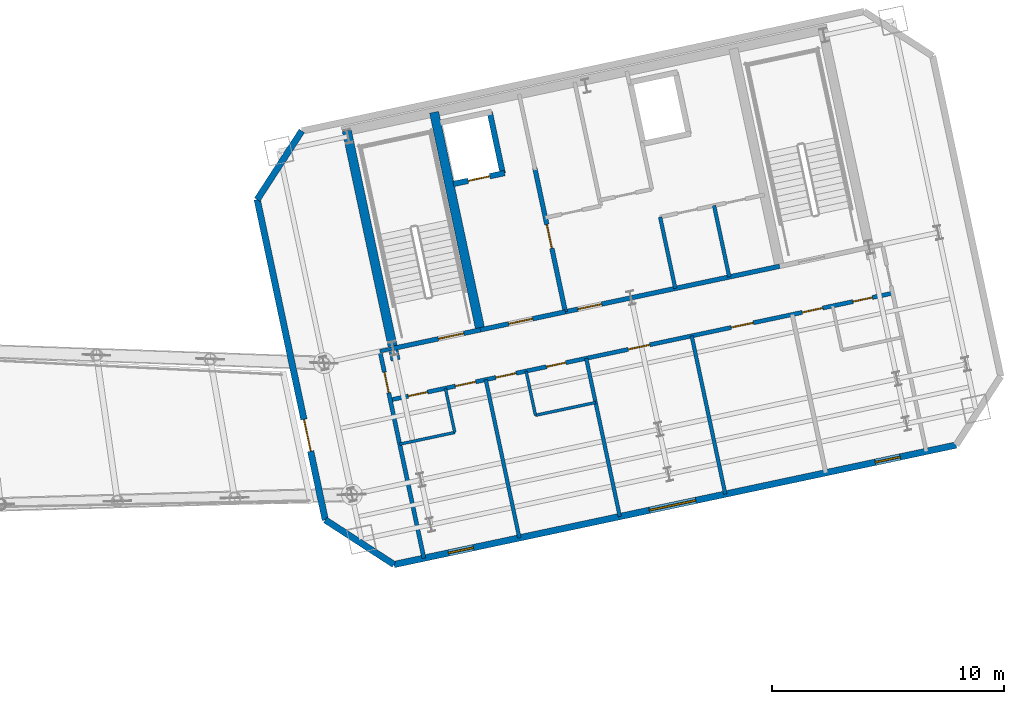
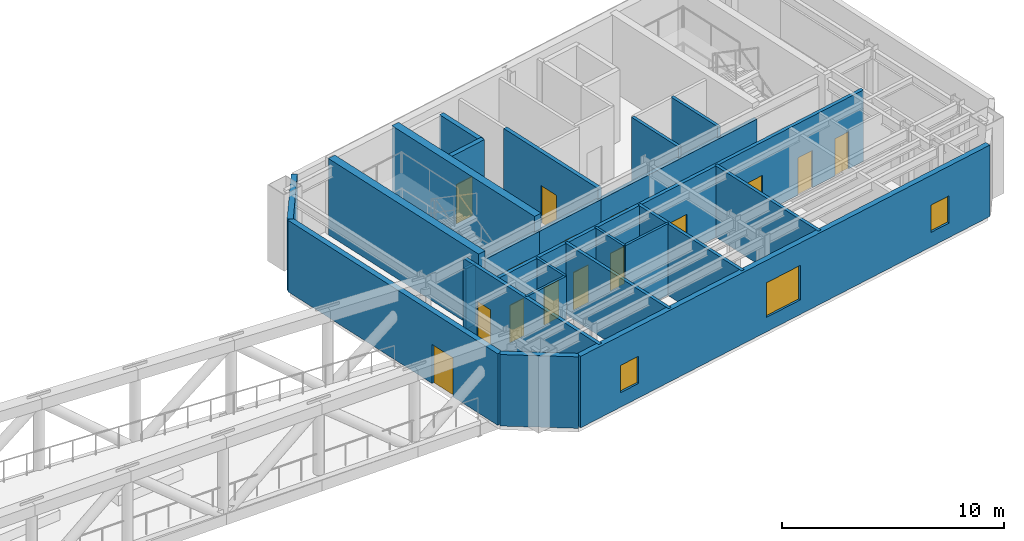
# One storey, part 9 of 14: 24 walls, 15 doors, 3 windows, 18 openings.
"""IFC4 building model written with IfcOpenShell, lengths in metres."""

from ifc_helpers import new_model, si_unit, direction, frame, frame_2d, origin, place, context, subcontext, project, spatial, rectangle, extrude, material, layer, layer_set, type_object, element, fill, save


model = new_model("IFC4")

# Units and contexts
model_context = context("Model", 3, precision=1e-05, world=origin(), true_north=direction((0.0, 1.0)))
body_context = subcontext(model_context, "Body", "Model", "MODEL_VIEW")
ifc_project = project(units=[si_unit("LENGTHUNIT", "METRE"), si_unit("AREAUNIT", "SQUARE_METRE"), si_unit("VOLUMEUNIT", "CUBIC_METRE"), si_unit("PLANEANGLEUNIT", "RADIAN"), si_unit("MASSUNIT", "GRAM", prefix="KILO")], contexts=[model_context])

# Site, building, storey
site_placement = place(None, origin())
site = spatial("IfcSite", under=ifc_project, at=site_placement, CompositionType="ELEMENT")
building_placement = place(site_placement, origin())
building = spatial("IfcBuilding", under=site, at=building_placement, Name="Haevon Station Towers", CompositionType="ELEMENT")
storey_placement = place(building_placement, frame((0.0, 0.0, 201.300048828125)))
storey = spatial("IfcBuildingStorey", under=building, at=storey_placement, Name="L55", CompositionType="ELEMENT", Elevation=201.300048828125)

# Wall, opening, door
ifc_material_1 = material(Name="Gypsum board on steel stud", Category="steel")
ifc_layer_1 = layer(ifc_material_1, 0.179931640625)
ifc_layer_set_1 = layer_set([ifc_layer_1], Name="Gypsum board on steel stud")
wall_type_1 = type_object("IfcWallType", Name="WL-ACU180", PredefinedType="PARTITIONING", material=ifc_layer_set_1)
wall_1_placement = place(storey_placement, frame((100.083251953125, 28.391357421875, 0.0), z_axis=(0.0, 0.0, 1.0), x_axis=(-0.207908966823, 0.978148179733, 0.0)))
wall_1 = element("IfcWall", 1, at=wall_1_placement, inside=storey, type_object=wall_type_1, Name="WL-T2PT-L55-03", PredefinedType="PARTITIONING", context=body_context, shape_type="SweptSolid", body=[
    extrude(rectangle(XDim=9.1298828125, YDim=0.179931640625, at=frame_2d((4.56494140625, 0.0))), origin(), (0.0, 0.0, 1.0), 3.929931640625),
])
opening_1_placement = place(wall_1_placement, frame((7.300048828125, 0.0, 0.0)))
opening_1 = element("IfcOpeningElement", 2, at=opening_1_placement, cuts=wall_1, Name="Opening DR-WL-T2PT-L55-03-01", PredefinedType="OPENING", context=body_context, shape_type="SweptSolid", body=[
    extrude(rectangle(XDim=0.89990234375, YDim=2.050048828125, at=frame_2d((0.449951171875, 1.02490234375))), frame((0.0, 0.099853515625, 0.0), z_axis=(0.0, -1.0, 0.0), x_axis=(1.0, 0.0, 0.0)), (0.0, 0.0, 1.0), 0.199951171875),
])
ifc_material_2 = material(Name="Engineered oak timber", Category="wood")
door_type_1 = type_object("IfcDoorType", Name="DR-INT-900", OperationType="NOTDEFINED", PredefinedType="DOOR", material=ifc_material_2)
door_1_placement = place(opening_1_placement, origin())
door_1 = element("IfcDoor", 3, at=door_1_placement, inside=storey, type_object=door_type_1, Name="L55 Tower 2 Room Door 3-1", OperationType="SINGLE_SWING_LEFT", OverallHeight=2.050048828125, OverallWidth=0.89990234375, PredefinedType="DOOR", context=body_context, shape_type="SweptSolid", body=[
    extrude(rectangle(XDim=0.89990234375, YDim=2.050048828125, at=frame_2d((0.449951171875, 1.02490234375))), frame((0.0, 0.02490234375, 0.0), z_axis=(0.0, -1.0, 0.0), x_axis=(1.0, 0.0, 0.0)), (0.0, 0.0, 1.0), 0.050048828125),
])
fill(opening_1, door_1)

# Wall, openings, doors
wall_2_placement = place(storey_placement, frame((98.632080078125, 35.21875, 0.0), z_axis=(0.0, 0.0, 1.0), x_axis=(0.978146753289, 0.207915677691, 0.0)))
wall_2 = element("IfcWall", 4, at=wall_2_placement, inside=storey, type_object=wall_type_1, Name="WL-T2PT-L55-15", PredefinedType="PARTITIONING", context=body_context, shape_type="SweptSolid", body=[
    extrude(rectangle(XDim=22.16015625, YDim=0.179931640625, at=frame_2d((11.080078125, 0.0))), origin(), (0.0, 0.0, 1.0), 3.929931640625),
])
opening_2_placement = place(wall_2_placement, frame((0.7900390625, 0.0, 0.0)))
opening_2 = element("IfcOpeningElement", 5, at=opening_2_placement, cuts=wall_2, Name="Opening DR-WL-T2PT-L55-15-01", PredefinedType="OPENING", context=body_context, shape_type="SweptSolid", body=[
    extrude(rectangle(XDim=0.85009765625, YDim=2.050048828125, at=frame_2d((0.425048828125, 1.02490234375))), frame((0.0, 0.099853515625, 0.0), z_axis=(0.0, -1.0, 0.0), x_axis=(1.0, 0.0, 0.0)), (0.0, 0.0, 1.0), 0.199951171875),
])
opening_3_placement = place(wall_2_placement, frame((2.8701171875, 0.0, 0.0)))
opening_3 = element("IfcOpeningElement", 6, at=opening_3_placement, cuts=wall_2, Name="Opening DR-WL-T2PT-L55-15-02", PredefinedType="OPENING", context=body_context, shape_type="SweptSolid", body=[
    extrude(rectangle(XDim=0.89990234375, YDim=2.050048828125, at=frame_2d((0.449951171875, 1.02490234375))), frame((0.0, 0.099853515625, 0.0), z_axis=(0.0, -1.0, 0.0), x_axis=(1.0, 0.0, 0.0)), (0.0, 0.0, 1.0), 0.199951171875),
])
opening_4_placement = place(wall_2_placement, frame((6.89111328125, 0.0, 0.0)))
opening_4 = element("IfcOpeningElement", 7, at=opening_4_placement, cuts=wall_2, Name="Opening DR-WL-T2PT-L55-15-03", PredefinedType="OPENING", context=body_context, shape_type="SweptSolid", body=[
    extrude(rectangle(XDim=0.85009765625, YDim=2.050048828125, at=frame_2d((0.425048828125, 1.02490234375))), frame((0.0, 0.099853515625, 0.0), z_axis=(0.0, -1.0, 0.0), x_axis=(1.0, 0.0, 0.0)), (0.0, 0.0, 1.0), 0.199951171875),
])
opening_5_placement = place(wall_2_placement, frame((4.64990234375, 0.0, 0.0)))
opening_5 = element("IfcOpeningElement", 8, at=opening_5_placement, cuts=wall_2, Name="Opening DR-WL-T2PT-L55-15-04", PredefinedType="OPENING", context=body_context, shape_type="SweptSolid", body=[
    extrude(rectangle(XDim=0.89990234375, YDim=2.050048828125, at=frame_2d((0.449951171875, 1.02490234375))), frame((0.0, 0.099853515625, 0.0), z_axis=(0.0, -1.0, 0.0), x_axis=(1.0, 0.0, 0.0)), (0.0, 0.0, 1.0), 0.199951171875),
])
opening_6_placement = place(wall_2_placement, frame((10.493896484375, 0.0, 0.0)))
opening_6 = element("IfcOpeningElement", 9, at=opening_6_placement, cuts=wall_2, Name="Opening DR-WL-T2PT-L55-15-05", PredefinedType="OPENING", context=body_context, shape_type="SweptSolid", body=[
    extrude(rectangle(XDim=0.949951171875, YDim=2.10009765625, at=frame_2d((0.47509765625, 1.050048828125))), frame((0.0, 0.099853515625, 0.0), z_axis=(0.0, -1.0, 0.0), x_axis=(1.0, 0.0, 0.0)), (0.0, 0.0, 1.0), 0.199951171875),
])
opening_7_placement = place(wall_2_placement, frame((15.037109375, 0.0, 0.0)))
opening_7 = element("IfcOpeningElement", 10, at=opening_7_placement, cuts=wall_2, Name="Opening DR-WL-T2PT-L55-15-06", PredefinedType="OPENING", context=body_context, shape_type="SweptSolid", body=[
    extrude(rectangle(XDim=0.97998046875, YDim=2.10009765625, at=frame_2d((0.489990234375, 1.050048828125))), frame((0.0, 0.099853515625, 0.0), z_axis=(0.0, -1.0, 0.0), x_axis=(1.0, 0.0, 0.0)), (0.0, 0.0, 1.0), 0.199951171875),
])
opening_8_placement = place(wall_2_placement, frame((20.408935546875, 0.0, 0.0)))
opening_8 = element("IfcOpeningElement", 11, at=opening_8_placement, cuts=wall_2, Name="Opening DR-WL-T2PT-L55-15-07", PredefinedType="OPENING", context=body_context, shape_type="SweptSolid", body=[
    extrude(rectangle(XDim=0.85009765625, YDim=2.050048828125, at=frame_2d((0.425048828125, 1.02490234375))), frame((0.0, 0.099853515625, 0.0), z_axis=(0.0, -1.0, 0.0), x_axis=(1.0, 0.0, 0.0)), (0.0, 0.0, 1.0), 0.199951171875),
])
opening_9_placement = place(wall_2_placement, frame((18.16796875, 0.0, 0.0)))
opening_9 = element("IfcOpeningElement", 12, at=opening_9_placement, cuts=wall_2, Name="Opening DR-WL-T2PT-L55-15-08", PredefinedType="OPENING", context=body_context, shape_type="SweptSolid", body=[
    extrude(rectangle(XDim=0.89990234375, YDim=2.050048828125, at=frame_2d((0.449951171875, 1.02490234375))), frame((0.0, 0.099853515625, 0.0), z_axis=(0.0, -1.0, 0.0), x_axis=(1.0, 0.0, 0.0)), (0.0, 0.0, 1.0), 0.199951171875),
])
door_type_2 = type_object("IfcDoorType", Name="DR-FD30-850", OperationType="NOTDEFINED", PredefinedType="DOOR", material=ifc_material_2)
door_2_placement = place(opening_2_placement, origin())
door_2 = element("IfcDoor", 13, at=door_2_placement, inside=storey, type_object=door_type_2, Name="L55 Tower 2 Room Door 15-1", OperationType="SINGLE_SWING_LEFT", OverallHeight=2.050048828125, OverallWidth=0.85009765625, PredefinedType="DOOR", context=body_context, shape_type="SweptSolid", body=[
    extrude(rectangle(XDim=0.85009765625, YDim=2.050048828125, at=frame_2d((0.425048828125, 1.02490234375))), frame((0.0, 0.02490234375, 0.0), z_axis=(0.0, -1.0, 0.0), x_axis=(1.0, 0.0, 0.0)), (0.0, 0.0, 1.0), 0.050048828125),
])
fill(opening_2, door_2)
door_3_placement = place(opening_4_placement, origin())
door_3 = element("IfcDoor", 14, at=door_3_placement, inside=storey, type_object=door_type_2, Name="L55 Tower 2 Room Door 15-3", OperationType="SINGLE_SWING_LEFT", OverallHeight=2.050048828125, OverallWidth=0.85009765625, PredefinedType="DOOR", context=body_context, shape_type="SweptSolid", body=[
    extrude(rectangle(XDim=0.85009765625, YDim=2.050048828125, at=frame_2d((0.425048828125, 1.02490234375))), frame((0.0, 0.02490234375, 0.0), z_axis=(0.0, -1.0, 0.0), x_axis=(1.0, 0.0, 0.0)), (0.0, 0.0, 1.0), 0.050048828125),
])
fill(opening_4, door_3)
door_4_placement = place(opening_8_placement, origin())
door_4 = element("IfcDoor", 15, at=door_4_placement, inside=storey, type_object=door_type_2, Name="L55 Tower 2 Room Door 15-7", OperationType="SINGLE_SWING_LEFT", OverallHeight=2.050048828125, OverallWidth=0.85009765625, PredefinedType="DOOR", context=body_context, shape_type="SweptSolid", body=[
    extrude(rectangle(XDim=0.85009765625, YDim=2.050048828125, at=frame_2d((0.425048828125, 1.02490234375))), frame((0.0, 0.02490234375, 0.0), z_axis=(0.0, -1.0, 0.0), x_axis=(1.0, 0.0, 0.0)), (0.0, 0.0, 1.0), 0.050048828125),
])
fill(opening_8, door_4)
door_type_3 = type_object("IfcDoorType", Name="DR-FD30-950", OperationType="NOTDEFINED", PredefinedType="DOOR", material=ifc_material_2)
door_5_placement = place(opening_6_placement, origin())
door_5 = element("IfcDoor", 16, at=door_5_placement, inside=storey, type_object=door_type_3, Name="L55 Tower 2 Room Door 15-5", OperationType="SINGLE_SWING_LEFT", OverallHeight=2.10009765625, OverallWidth=0.949951171875, PredefinedType="DOOR", context=body_context, shape_type="SweptSolid", body=[
    extrude(rectangle(XDim=0.949951171875, YDim=2.10009765625, at=frame_2d((0.47509765625, 1.050048828125))), frame((0.0, 0.02490234375, 0.0), z_axis=(0.0, -1.0, 0.0), x_axis=(1.0, 0.0, 0.0)), (0.0, 0.0, 1.0), 0.050048828125),
])
fill(opening_6, door_5)
door_type_4 = type_object("IfcDoorType", Name="DR-FD30-980", OperationType="NOTDEFINED", PredefinedType="DOOR", material=ifc_material_2)
door_6_placement = place(opening_7_placement, origin())
door_6 = element("IfcDoor", 17, at=door_6_placement, inside=storey, type_object=door_type_4, Name="L55 Tower 2 Room Door 15-6", OperationType="SINGLE_SWING_RIGHT", OverallHeight=2.10009765625, OverallWidth=0.97998046875, PredefinedType="DOOR", context=body_context, shape_type="SweptSolid", body=[
    extrude(rectangle(XDim=0.97998046875, YDim=2.10009765625, at=frame_2d((0.489990234375, 1.050048828125))), frame((0.0, 0.02490234375, 0.0), z_axis=(0.0, -1.0, 0.0), x_axis=(1.0, 0.0, 0.0)), (0.0, 0.0, 1.0), 0.050048828125),
])
fill(opening_7, door_6)
door_7_placement = place(opening_3_placement, origin())
door_7 = element("IfcDoor", 18, at=door_7_placement, inside=storey, type_object=door_type_1, Name="L55 Tower 2 Room Door 15-2", OperationType="SINGLE_SWING_RIGHT", OverallHeight=2.050048828125, OverallWidth=0.89990234375, PredefinedType="DOOR", context=body_context, shape_type="SweptSolid", body=[
    extrude(rectangle(XDim=0.89990234375, YDim=2.050048828125, at=frame_2d((0.449951171875, 1.02490234375))), frame((0.0, 0.02490234375, 0.0), z_axis=(0.0, -1.0, 0.0), x_axis=(1.0, 0.0, 0.0)), (0.0, 0.0, 1.0), 0.050048828125),
])
fill(opening_3, door_7)
door_8_placement = place(opening_5_placement, origin())
door_8 = element("IfcDoor", 19, at=door_8_placement, inside=storey, type_object=door_type_1, Name="L55 Tower 2 Room Door 15-4", OperationType="SINGLE_SWING_RIGHT", OverallHeight=2.050048828125, OverallWidth=0.89990234375, PredefinedType="DOOR", context=body_context, shape_type="SweptSolid", body=[
    extrude(rectangle(XDim=0.89990234375, YDim=2.050048828125, at=frame_2d((0.449951171875, 1.02490234375))), frame((0.0, 0.02490234375, 0.0), z_axis=(0.0, -1.0, 0.0), x_axis=(1.0, 0.0, 0.0)), (0.0, 0.0, 1.0), 0.050048828125),
])
fill(opening_5, door_8)
door_9_placement = place(opening_9_placement, origin())
door_9 = element("IfcDoor", 20, at=door_9_placement, inside=storey, type_object=door_type_1, Name="L55 Tower 2 Room Door 15-8", OperationType="SINGLE_SWING_RIGHT", OverallHeight=2.050048828125, OverallWidth=0.89990234375, PredefinedType="DOOR", context=body_context, shape_type="SweptSolid", body=[
    extrude(rectangle(XDim=0.89990234375, YDim=2.050048828125, at=frame_2d((0.449951171875, 1.02490234375))), frame((0.0, 0.02490234375, 0.0), z_axis=(0.0, -1.0, 0.0), x_axis=(1.0, 0.0, 0.0)), (0.0, 0.0, 1.0), 0.050048828125),
])
fill(opening_9, door_9)

# Wall, opening, door
ifc_layer_2 = layer(ifc_material_1, 0.199951171875)
ifc_layer_set_2 = layer_set([ifc_layer_2], Name="Gypsum board on steel stud")
wall_type_2 = type_object("IfcWallType", Name="WL-COR200", PredefinedType="PARTITIONING", material=ifc_layer_set_2)
wall_3_placement = place(storey_placement, frame((98.75244140625, 37.4423828125, 0.0), z_axis=(0.0, 0.0, 1.0), x_axis=(0.978143537786, 0.207930804564, 0.0)))
wall_3 = element("IfcWall", 21, at=wall_3_placement, inside=storey, type_object=wall_type_2, Name="WL-ST-ST3-L55", PredefinedType="PARTITIONING", context=body_context, shape_type="SweptSolid", body=[
    extrude(rectangle(XDim=3.85009765625, YDim=0.199951171875, at=frame_2d((1.925048828125, 0.0))), origin(), (0.0, 0.0, 1.0), 3.329833984375),
])
opening_10_placement = place(wall_3_placement, frame((2.0, 0.0, 0.0)))
opening_10 = element("IfcOpeningElement", 22, at=opening_10_placement, cuts=wall_3, Name="Opening DR-ST-ST3-L55", PredefinedType="OPENING", context=body_context, shape_type="SweptSolid", body=[
    extrude(rectangle(XDim=1.1201171875, YDim=2.10009765625, at=frame_2d((0.56005859375, 1.050048828125))), frame((0.0, 0.10986328125, 0.0), z_axis=(0.0, -1.0, 0.0), x_axis=(1.0, 0.0, 0.0)), (0.0, 0.0, 1.0), 0.219970703125),
])
door_type_5 = type_object("IfcDoorType", Name="DR-ST-1120", OperationType="NOTDEFINED", PredefinedType="DOOR", material=ifc_material_2)
door_10_placement = place(opening_10_placement, origin())
door_10 = element("IfcDoor", 23, at=door_10_placement, inside=storey, type_object=door_type_5, Name="L55 Escape Stair ST3 Fire Door", OperationType="SINGLE_SWING_LEFT", OverallHeight=2.10009765625, OverallWidth=1.1201171875, PredefinedType="DOOR", context=body_context, shape_type="SweptSolid", body=[
    extrude(rectangle(XDim=1.1201171875, YDim=2.10009765625, at=frame_2d((0.56005859375, 1.050048828125))), frame((0.0, 0.02490234375, 0.0), z_axis=(0.0, -1.0, 0.0), x_axis=(1.0, 0.0, 0.0)), (0.0, 0.0, 1.0), 0.050048828125),
])
fill(opening_10, door_10)

wall_4_placement = place(storey_placement, frame((106.186279296875, 39.0224609375, 0.0), z_axis=(0.0, 0.0, 1.0), x_axis=(-0.207916691923, 0.978146537703, 0.0)))
wall_4 = element("IfcWall", 24, at=wall_4_placement, inside=storey, type_object=wall_type_2, Name="WL-T2FFL-L55-E", PredefinedType="PARTITIONING", context=body_context, shape_type="SweptSolid", body=[
    extrude(rectangle(XDim=6.35009765625, YDim=0.199951171875, at=frame_2d((3.175048828125, 0.0))), origin(), (0.0, 0.0, 1.0), 3.929931640625),
])
opening_11_placement = place(wall_4_placement, frame((2.800048828125, 0.0, 0.0)))
opening_11 = element("IfcOpeningElement", 25, at=opening_11_placement, cuts=wall_4, Name="Opening DR-T2FFL-L55-E", PredefinedType="OPENING", context=body_context, shape_type="SweptSolid", body=[
    extrude(rectangle(XDim=1.050048828125, YDim=2.10009765625, at=frame_2d((0.52490234375, 1.050048828125))), frame((0.0, 0.10986328125, 0.0), z_axis=(0.0, -1.0, 0.0), x_axis=(1.0, 0.0, 0.0)), (0.0, 0.0, 1.0), 0.219970703125),
])
door_type_6 = type_object("IfcDoorType", Name="DR-FD60-1050", OperationType="NOTDEFINED", PredefinedType="DOOR", material=ifc_material_2)
door_11_placement = place(opening_11_placement, origin())
door_11 = element("IfcDoor", 26, at=door_11_placement, inside=storey, type_object=door_type_6, Name="L55 Tower 2 Firefighting Lift Lobby Door E", OperationType="SINGLE_SWING_LEFT", OverallHeight=2.10009765625, OverallWidth=1.050048828125, PredefinedType="DOOR", context=body_context, shape_type="SweptSolid", body=[
    extrude(rectangle(XDim=1.050048828125, YDim=2.10009765625, at=frame_2d((0.52490234375, 1.050048828125))), frame((0.0, 0.02490234375, 0.0), z_axis=(0.0, -1.0, 0.0), x_axis=(1.0, 0.0, 0.0)), (0.0, 0.0, 1.0), 0.050048828125),
])
fill(opening_11, door_11)

wall_5_placement = place(storey_placement, frame((102.518310546875, 38.242919921875, 0.0), z_axis=(0.0, 0.0, 1.0), x_axis=(0.978153555683, 0.20788367301, 0.0)))
wall_5 = element("IfcWall", 27, at=wall_5_placement, inside=storey, type_object=wall_type_2, Name="WL-T2FFL-L55-S", PredefinedType="PARTITIONING", context=body_context, shape_type="SweptSolid", body=[
    extrude(rectangle(XDim=3.75, YDim=0.199951171875, at=frame_2d((1.875, 0.0))), origin(), (0.0, 0.0, 1.0), 3.329833984375),
])
opening_12_placement = place(wall_5_placement, frame((1.25, 0.0, 0.0)))
opening_12 = element("IfcOpeningElement", 28, at=opening_12_placement, cuts=wall_5, Name="Opening DR-T2FFL-L55-S", PredefinedType="OPENING", context=body_context, shape_type="SweptSolid", body=[
    extrude(rectangle(XDim=1.050048828125, YDim=2.10009765625, at=frame_2d((0.52490234375, 1.050048828125))), frame((0.0, 0.10986328125, 0.0), z_axis=(0.0, -1.0, 0.0), x_axis=(1.0, 0.0, 0.0)), (0.0, 0.0, 1.0), 0.219970703125),
])
door_12_placement = place(opening_12_placement, origin())
door_12 = element("IfcDoor", 29, at=door_12_placement, inside=storey, type_object=door_type_6, Name="L55 Tower 2 Firefighting Lift Lobby Door S", OperationType="SINGLE_SWING_RIGHT", OverallHeight=2.10009765625, OverallWidth=1.050048828125, PredefinedType="DOOR", context=body_context, shape_type="SweptSolid", body=[
    extrude(rectangle(XDim=1.050048828125, YDim=2.10009765625, at=frame_2d((0.52490234375, 1.050048828125))), frame((0.0, 0.02490234375, 0.0), z_axis=(0.0, -1.0, 0.0), x_axis=(1.0, 0.0, 0.0)), (0.0, 0.0, 1.0), 0.050048828125),
])
fill(opening_12, door_12)

wall_6_placement = place(storey_placement, frame((106.186279296875, 39.0224609375, 0.0), z_axis=(0.0, 0.0, 1.0), x_axis=(0.978145519981, 0.20792147975, 0.0)))
wall_6 = element("IfcWall", 30, at=wall_6_placement, inside=storey, type_object=wall_type_2, Name="WL-T2CLB-L55", PredefinedType="PARTITIONING", context=body_context, shape_type="SweptSolid", body=[
    extrude(rectangle(XDim=9.449951171875, YDim=0.199951171875, at=frame_2d((4.72509765625, 0.0))), origin(), (0.0, 0.0, 1.0), 3.329833984375),
])
opening_13_placement = place(wall_6_placement, frame((0.550048828125, 0.0, 0.0)))
opening_13 = element("IfcOpeningElement", 31, at=opening_13_placement, cuts=wall_6, Name="Opening DR-T2CLB-L55-1", PredefinedType="OPENING", context=body_context, shape_type="SweptSolid", body=[
    extrude(rectangle(XDim=1.050048828125, YDim=2.10009765625, at=frame_2d((0.52490234375, 1.050048828125))), frame((0.0, 0.10986328125, 0.0), z_axis=(0.0, -1.0, 0.0), x_axis=(1.0, 0.0, 0.0)), (0.0, 0.0, 1.0), 0.219970703125),
])
door_13_placement = place(opening_13_placement, origin())
door_13 = element("IfcDoor", 32, at=door_13_placement, inside=storey, type_object=door_type_6, Name="L55 Tower 2 Core Lift Lobby Door 1", OperationType="SINGLE_SWING_LEFT", OverallHeight=2.10009765625, OverallWidth=1.050048828125, PredefinedType="DOOR", context=body_context, shape_type="SweptSolid", body=[
    extrude(rectangle(XDim=1.050048828125, YDim=2.10009765625, at=frame_2d((0.52490234375, 1.050048828125))), frame((0.0, 0.02490234375, 0.0), z_axis=(0.0, -1.0, 0.0), x_axis=(1.0, 0.0, 0.0)), (0.0, 0.0, 1.0), 0.050048828125),
])
fill(opening_13, door_13)

# Walls
ifc_material_3 = material(Name="Concrete C60/75", Category="concrete")
ifc_layer_3 = layer(ifc_material_3, 0.39990234375)
ifc_layer_set_3 = layer_set([ifc_layer_3], Name="Concrete C60/75")
wall_type_3 = type_object("IfcWallType", Name="WL-CR400", PredefinedType="SHEAR", material=ifc_layer_set_3)
wall_7_placement = place(storey_placement, frame((98.8603515625, 36.933837890625, 0.0), z_axis=(0.0, 0.0, 1.0), x_axis=(-0.20790924889, 0.978148119778, 0.0)))
element("IfcWall", 33, at=wall_7_placement, inside=storey, type_object=wall_type_3, Name="WL-T2CR-L55-W", PredefinedType="SHEAR", context=body_context, shape_type="SweptSolid", body=[
    extrude(rectangle(XDim=10.119873046875, YDim=0.39990234375, at=frame_2d((5.06005859375, 0.0))), origin(), (0.0, 0.0, 1.0), 4.199951171875),
])
wall_8_placement = place(storey_placement, frame((102.518310546875, 38.242919921875, 0.0), z_axis=(0.0, 0.0, 1.0), x_axis=(-0.207927495108, 0.978144241295, 0.0)))
element("IfcWall", 34, at=wall_8_placement, inside=storey, type_object=wall_type_3, Name="WL-T2CR-L55-M1", PredefinedType="SHEAR", context=body_context, shape_type="SweptSolid", body=[
    extrude(rectangle(XDim=9.599853515625, YDim=0.39990234375, at=frame_2d((4.7998046875, 0.0))), origin(), (0.0, 0.0, 1.0), 4.199951171875),
])

# Wall, openings, windows
ifc_material_4 = material(Name="Precast concrete C45/55", Category="concrete")
ifc_layer_4 = layer(ifc_material_4, 0.280029296875)
ifc_layer_set_4 = layer_set([ifc_layer_4], Name="Precast concrete C45/55")
wall_type_4 = type_object("IfcWallType", Name="WL-EXT-PIER280", PredefinedType="SOLIDWALL", material=ifc_layer_set_4)
wall_9_placement = place(storey_placement, frame((123.050048828125, 33.273193359375, 0.0), z_axis=(0.0, 0.0, 1.0), x_axis=(-0.97814726544, -0.207913268245, 0.0)))
wall_9 = element("IfcWall", 35, at=wall_9_placement, inside=storey, type_object=wall_type_4, Name="WL-T2-L55-S", PredefinedType="SOLIDWALL", context=body_context, shape_type="SweptSolid", body=[
    extrude(rectangle(XDim=24.800048828125, YDim=0.280029296875, at=frame_2d((12.39990234375, 0.0))), origin(), (0.0, 0.0, 1.0), 3.929931640625),
])
opening_14_placement = place(wall_9_placement, frame((21.294921875, 0.0, 0.800048828125)))
opening_14 = element("IfcOpeningElement", 36, at=opening_14_placement, cuts=wall_9, Name="Opening WN-COR110", PredefinedType="OPENING", context=body_context, shape_type="SweptSolid", body=[
    extrude(rectangle(XDim=1.10009765625, YDim=1.5, at=frame_2d((0.550048828125, 0.75))), frame((0.0, 0.14990234375, 0.0), z_axis=(0.0, -1.0, 0.0), x_axis=(1.0, 0.0, 0.0)), (0.0, 0.0, 1.0), 0.300048828125),
])
opening_15_placement = place(wall_9_placement, frame((11.48583984375, 0.0, 0.800048828125)))
opening_15 = element("IfcOpeningElement", 37, at=opening_15_placement, cuts=wall_9, Name="Opening WN-P205", PredefinedType="OPENING", context=body_context, shape_type="SweptSolid", body=[
    extrude(rectangle(XDim=2.050048828125, YDim=1.89990234375, at=frame_2d((1.02490234375, 0.949951171875))), frame((0.0, 0.14990234375, 0.0), z_axis=(0.0, -1.0, 0.0), x_axis=(1.0, 0.0, 0.0)), (0.0, 0.0, 1.0), 0.300048828125),
])
opening_16_placement = place(wall_9_placement, frame((2.4716796875, 0.0, 0.800048828125)))
opening_16 = element("IfcOpeningElement", 38, at=opening_16_placement, cuts=wall_9, Name="Opening WN-COR110", PredefinedType="OPENING", context=body_context, shape_type="SweptSolid", body=[
    extrude(rectangle(XDim=1.10009765625, YDim=1.5, at=frame_2d((0.550048828125, 0.75))), frame((0.0, 0.14990234375, 0.0), z_axis=(0.0, -1.0, 0.0), x_axis=(1.0, 0.0, 0.0)), (0.0, 0.0, 1.0), 0.300048828125),
])
ifc_material_5 = material(Name="Low-E triple glazing in thermally broken aluminium", Category="aluminium")
window_type_1 = type_object("IfcWindowType", Name="WN-COR110", PartitioningType="SINGLE_PANEL", PredefinedType="WINDOW", material=ifc_material_5)
window_1_placement = place(opening_14_placement, origin())
window_1 = element("IfcWindow", 39, at=window_1_placement, inside=storey, type_object=window_type_1, Name="WN-T2-L55-S01", OverallHeight=1.5, OverallWidth=1.10009765625, PartitioningType="SINGLE_PANEL", PredefinedType="WINDOW", context=body_context, shape_type="SweptSolid", body=[
    extrude(rectangle(XDim=1.10009765625, YDim=1.5, at=frame_2d((0.550048828125, 0.75))), frame((0.0, 0.030029296875, 0.0), z_axis=(0.0, -1.0, 0.0), x_axis=(1.0, 0.0, 0.0)), (0.0, 0.0, 1.0), 0.06005859375),
])
fill(opening_14, window_1)
window_2_placement = place(opening_16_placement, origin())
window_2 = element("IfcWindow", 40, at=window_2_placement, inside=storey, type_object=window_type_1, Name="WN-T2-L55-S03", OverallHeight=1.5, OverallWidth=1.10009765625, PartitioningType="SINGLE_PANEL", PredefinedType="WINDOW", context=body_context, shape_type="SweptSolid", body=[
    extrude(rectangle(XDim=1.10009765625, YDim=1.5, at=frame_2d((0.550048828125, 0.75))), frame((0.0, 0.030029296875, 0.0), z_axis=(0.0, -1.0, 0.0), x_axis=(1.0, 0.0, 0.0)), (0.0, 0.0, 1.0), 0.06005859375),
])
fill(opening_16, window_2)
window_type_2 = type_object("IfcWindowType", Name="WN-P205", PartitioningType="SINGLE_PANEL", PredefinedType="WINDOW", material=ifc_material_5)
window_3_placement = place(opening_15_placement, origin())
window_3 = element("IfcWindow", 41, at=window_3_placement, inside=storey, type_object=window_type_2, Name="WN-T2-L55-S02", OverallHeight=1.89990234375, OverallWidth=2.050048828125, PartitioningType="SINGLE_PANEL", PredefinedType="WINDOW", context=body_context, shape_type="SweptSolid", body=[
    extrude(rectangle(XDim=2.050048828125, YDim=1.89990234375, at=frame_2d((1.02490234375, 0.949951171875))), frame((0.0, 0.030029296875, 0.0), z_axis=(0.0, -1.0, 0.0), x_axis=(1.0, 0.0, 0.0)), (0.0, 0.0, 1.0), 0.06005859375),
])
fill(opening_15, window_3)

# Wall
wall_10_placement = place(storey_placement, frame((98.7919921875, 28.116943359375, 0.0), z_axis=(0.0, 0.0, 1.0), x_axis=(-0.838672309694, 0.544636352948, 0.0)))
element("IfcWall", 42, at=wall_10_placement, inside=storey, type_object=wall_type_4, Name="WL-T2-L55-SWC", PredefinedType="SOLIDWALL", context=body_context, shape_type="SweptSolid", body=[
    extrude(rectangle(XDim=3.535400390625, YDim=0.280029296875, at=frame_2d((1.767578125, 0.0))), origin(), (0.0, 0.0, 1.0), 3.929931640625),
])

# Wall, opening, door
wall_11_placement = place(storey_placement, frame((95.826904296875, 30.04248046875, 0.0), z_axis=(0.0, 0.0, 1.0), x_axis=(-0.207907523802, 0.978148486451, 0.0)))
wall_11 = element("IfcWall", 43, at=wall_11_placement, inside=storey, type_object=wall_type_4, Name="WL-T2-L55-W", PredefinedType="SOLIDWALL", context=body_context, shape_type="SweptSolid", body=[
    extrude(rectangle(XDim=14.130126953125, YDim=0.280029296875, at=frame_2d((7.06494140625, 0.0))), origin(), (0.0, 0.0, 1.0), 3.929931640625),
])
opening_17_placement = place(wall_11_placement, frame((3.030029296875, 0.0, 0.0)))
opening_17 = element("IfcOpeningElement", 44, at=opening_17_placement, cuts=wall_11, Name="Opening DR-SKP-T2-L55", PredefinedType="OPENING", context=body_context, shape_type="SweptSolid", body=[
    extrude(rectangle(XDim=1.39990234375, YDim=2.14990234375, at=frame_2d((0.699951171875, 1.074951171875))), frame((0.0, 0.14990234375, 0.0), z_axis=(0.0, -1.0, 0.0), x_axis=(1.0, 0.0, 0.0)), (0.0, 0.0, 1.0), 0.300048828125),
])
ifc_material_6 = material(Name="Thermally broken anodised aluminium and laminated safety glass", Category="aluminium")
door_type_7 = type_object("IfcDoorType", Name="DR-SKP-1400", OperationType="NOTDEFINED", PredefinedType="DOOR", material=ifc_material_6)
door_14_placement = place(opening_17_placement, origin())
door_14 = element("IfcDoor", 45, at=door_14_placement, inside=storey, type_object=door_type_7, Name="Sky-Park Bridge Level L55 Tower 2 Fire Link Door", OperationType="SINGLE_SWING_RIGHT", OverallHeight=2.14990234375, OverallWidth=1.39990234375, PredefinedType="DOOR", context=body_context, shape_type="SweptSolid", body=[
    extrude(rectangle(XDim=1.39990234375, YDim=2.14990234375, at=frame_2d((0.699951171875, 1.074951171875))), frame((0.0, 0.02490234375, 0.0), z_axis=(0.0, -1.0, 0.0), x_axis=(1.0, 0.0, 0.0)), (0.0, 0.0, 1.0), 0.050048828125),
])
fill(opening_17, door_14)

# Walls
wall_12_placement = place(storey_placement, frame((92.88916015625, 43.86376953125, 0.0), z_axis=(0.0, 0.0, 1.0), x_axis=(0.544636352948, 0.838672309694, 0.0)))
element("IfcWall", 46, at=wall_12_placement, inside=storey, type_object=wall_type_4, Name="WL-T2-L55-NWC", PredefinedType="SOLIDWALL", context=body_context, shape_type="SweptSolid", body=[
    extrude(rectangle(XDim=3.535400390625, YDim=0.280029296875, at=frame_2d((1.767578125, 0.0))), origin(), (0.0, 0.0, 1.0), 3.929931640625),
])
ifc_layer_5 = layer(ifc_material_1, 0.125)
ifc_layer_set_5 = layer_set([ifc_layer_5], Name="Gypsum board on steel stud")
wall_type_5 = type_object("IfcWallType", Name="WL-PRT125", PredefinedType="PARTITIONING", material=ifc_layer_set_5)
wall_13_placement = place(storey_placement, frame((99.037353515625, 33.3115234375, 0.0), z_axis=(0.0, 0.0, 1.0), x_axis=(0.978165487905, 0.207827520484, 0.0)))
element("IfcWall", 47, at=wall_13_placement, inside=storey, type_object=wall_type_5, Name="WL-T2PT-L55-05", PredefinedType="PARTITIONING", context=body_context, shape_type="SweptSolid", body=[
    extrude(rectangle(XDim=2.430419921875, YDim=0.125, at=frame_2d((1.21533203125, 0.0))), origin(), (0.0, 0.0, 1.0), 3.929931640625),
])
wall_14_placement = place(storey_placement, frame((101.414794921875, 33.816650390625, 0.0), z_axis=(0.0, 0.0, 1.0), x_axis=(-0.207947096322, 0.978140074392, 0.0)))
element("IfcWall", 48, at=wall_14_placement, inside=storey, type_object=wall_type_5, Name="WL-T2PT-L55-06", PredefinedType="PARTITIONING", context=body_context, shape_type="SweptSolid", body=[
    extrude(rectangle(XDim=1.9501953125, YDim=0.125, at=frame_2d((0.97509765625, 0.0))), origin(), (0.0, 0.0, 1.0), 3.929931640625),
])
wall_15_placement = place(storey_placement, frame((104.89697265625, 34.556884765625, 0.0), z_axis=(0.0, 0.0, 1.0), x_axis=(0.978155341176, 0.207875271565, 0.0)))
element("IfcWall", 49, at=wall_15_placement, inside=storey, type_object=wall_type_5, Name="WL-T2PT-L55-08", PredefinedType="PARTITIONING", context=body_context, shape_type="SweptSolid", body=[
    extrude(rectangle(XDim=2.65185546875, YDim=0.125, at=frame_2d((1.325927734375, 0.0))), origin(), (0.0, 0.0, 1.0), 3.929931640625),
])
wall_16_placement = place(storey_placement, frame((104.89697265625, 34.556884765625, 0.0), z_axis=(0.0, 0.0, 1.0), x_axis=(-0.207947096322, 0.978140074392, 0.0)))
element("IfcWall", 50, at=wall_16_placement, inside=storey, type_object=wall_type_5, Name="WL-T2PT-L55-09", PredefinedType="PARTITIONING", context=body_context, shape_type="SweptSolid", body=[
    extrude(rectangle(XDim=1.9501953125, YDim=0.125, at=frame_2d((0.97509765625, 0.0))), origin(), (0.0, 0.0, 1.0), 3.929931640625),
])
ifc_layer_6 = layer(ifc_material_1, 0.159912109375)
ifc_layer_set_6 = layer_set([ifc_layer_6], Name="Gypsum board on steel stud")
wall_type_6 = type_object("IfcWallType", Name="WL-PRT160", PredefinedType="PARTITIONING", material=ifc_layer_set_6)
wall_17_placement = place(storey_placement, frame((110.93017578125, 40.031005859375, 0.0), z_axis=(0.0, 0.0, 1.0), x_axis=(-0.207877295669, 0.978154911016, 0.0)))
element("IfcWall", 51, at=wall_17_placement, inside=storey, type_object=wall_type_6, Name="WL-T2CW-L55-07", PredefinedType="PARTITIONING", context=body_context, shape_type="SweptSolid", body=[
    extrude(rectangle(XDim=3.14990234375, YDim=0.159912109375, at=frame_2d((1.574951171875, 0.0))), origin(), (0.0, 0.0, 1.0), 3.929931640625),
])
wall_18_placement = place(storey_placement, frame((113.25830078125, 40.525634765625, 0.0), z_axis=(0.0, 0.0, 1.0), x_axis=(-0.207935688634, 0.978142499533, 0.0)))
element("IfcWall", 52, at=wall_18_placement, inside=storey, type_object=wall_type_6, Name="WL-T2CW-L55-08", PredefinedType="PARTITIONING", context=body_context, shape_type="SweptSolid", body=[
    extrude(rectangle(XDim=3.150146484375, YDim=0.159912109375, at=frame_2d((1.5751953125, 0.0))), origin(), (0.0, 0.0, 1.0), 3.929931640625),
])
wall_19_placement = place(storey_placement, frame((98.18505859375, 37.32177734375, 0.0), z_axis=(0.0, 0.0, 1.0), x_axis=(0.978146012851, 0.207919161079, 0.0)))
element("IfcWall", 53, at=wall_19_placement, inside=storey, type_object=wall_type_6, Name="WL-T2PT-L55-01", PredefinedType="PARTITIONING", context=body_context, shape_type="SweptSolid", body=[
    extrude(rectangle(XDim=0.580078125, YDim=0.159912109375, at=frame_2d((0.2900390625, 0.0))), origin(), (0.0, 0.0, 1.0), 3.329833984375),
])
for number, where, z_axis, x_axis, name in (
    (54, (104.20166015625, 29.266845703125, 0.0), (0.0, 0.0, 1.0), (-0.207906863497, 0.9781486268, 0.0), "WL-T2PT-L55-07"),
    (55, (108.536865234375, 30.188232421875, 0.0), (0.0, 0.0, 1.0), (-0.207906863497, 0.9781486268, 0.0), "WL-T2PT-L55-10"),
    (56, (113.088623046875, 31.15576171875, 0.0), (0.0, 0.0, 1.0), (-0.207906863497, 0.9781486268, 0.0), "WL-T2PT-L55-11"),
):
    element("IfcWall", number, at=place(storey_placement, frame(where, z_axis=z_axis, x_axis=x_axis)), inside=storey, type_object=wall_type_6, Name=name, PredefinedType="PARTITIONING", context=body_context, shape_type="SweptSolid", body=[
        extrude(rectangle(XDim=6.97998046875, YDim=0.159912109375, at=frame_2d((3.489990234375, 0.0))), origin(), (0.0, 0.0, 1.0), 3.929931640625),
    ])

# Wall, opening, door
ifc_material_7 = material(Name="Concrete C40/50", Category="concrete")
ifc_layer_7 = layer(ifc_material_7, 0.239990234375)
ifc_layer_set_7 = layer_set([ifc_layer_7], Name="Concrete C40/50")
wall_type_7 = type_object("IfcWallType", Name="WL-SHF240", PredefinedType="PARTITIONING", material=ifc_layer_set_7)
wall_20_placement = place(storey_placement, frame((101.353759765625, 44.538330078125, 0.0), z_axis=(0.0, 0.0, 1.0), x_axis=(0.978141002414, 0.207942731049, 0.0)))
wall_20 = element("IfcWall", 57, at=wall_20_placement, inside=storey, type_object=wall_type_7, Name="WL-SHF-FL2-L55", PredefinedType="PARTITIONING", context=body_context, shape_type="SweptSolid", body=[
    extrude(rectangle(XDim=2.260009765625, YDim=0.239990234375, at=frame_2d((1.1298828125, 0.0))), origin(), (0.0, 0.0, 1.0), 3.929931640625),
])
opening_18_placement = place(wall_20_placement, frame((0.655029296875, 0.0, 0.0)))
opening_18 = element("IfcOpeningElement", 58, at=opening_18_placement, cuts=wall_20, Name="Opening LD-FL2-L55", PredefinedType="OPENING", context=body_context, shape_type="SweptSolid", body=[
    extrude(rectangle(XDim=0.949951171875, YDim=2.14990234375, at=frame_2d((0.47509765625, 1.074951171875))), frame((0.0, 0.1298828125, 0.0), z_axis=(0.0, -1.0, 0.0), x_axis=(1.0, 0.0, 0.0)), (0.0, 0.0, 1.0), 0.260009765625),
])
ifc_material_8 = material(Name="Stainless steel and rated core", Category="steel")
door_type_8 = type_object("IfcDoorType", Name="LD-FL950", OperationType="SLIDING_TO_LEFT", PredefinedType="DOOR", material=ifc_material_8)
door_15_placement = place(opening_18_placement, origin())
door_15 = element("IfcDoor", 59, at=door_15_placement, inside=storey, type_object=door_type_8, Name="L55 Lift FL2 Sliding Landing Door", OperationType="SLIDING_TO_LEFT", OverallHeight=2.14990234375, OverallWidth=0.949951171875, PredefinedType="DOOR", context=body_context, shape_type="SweptSolid", body=[
    extrude(rectangle(XDim=0.949951171875, YDim=2.14990234375, at=frame_2d((0.47509765625, 1.074951171875))), frame((0.0, 0.02490234375, 0.0), z_axis=(0.0, -1.0, 0.0), x_axis=(1.0, 0.0, 0.0)), (0.0, 0.0, 1.0), 0.050048828125),
])
fill(opening_18, door_15)

# Wall
wall_21_placement = place(storey_placement, frame((103.486328125, 44.99169921875, 0.0), z_axis=(0.0, 0.0, 1.0), x_axis=(-0.207978798957, 0.978133334052, 0.0)))
element("IfcWall", 60, at=wall_21_placement, inside=storey, type_object=wall_type_7, Name="WL-SHF-FL2-L55-E", PredefinedType="PARTITIONING", context=body_context, shape_type="SweptSolid", body=[
    extrude(rectangle(XDim=2.699951171875, YDim=0.239990234375, at=frame_2d((1.35009765625, 0.0))), origin(), (0.0, 0.0, 1.0), 3.929931640625),
])

save(model, "model.ifc")
